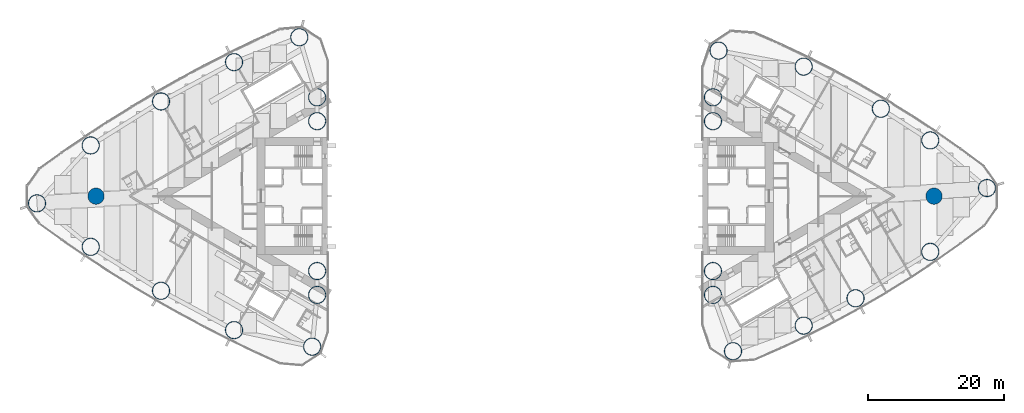
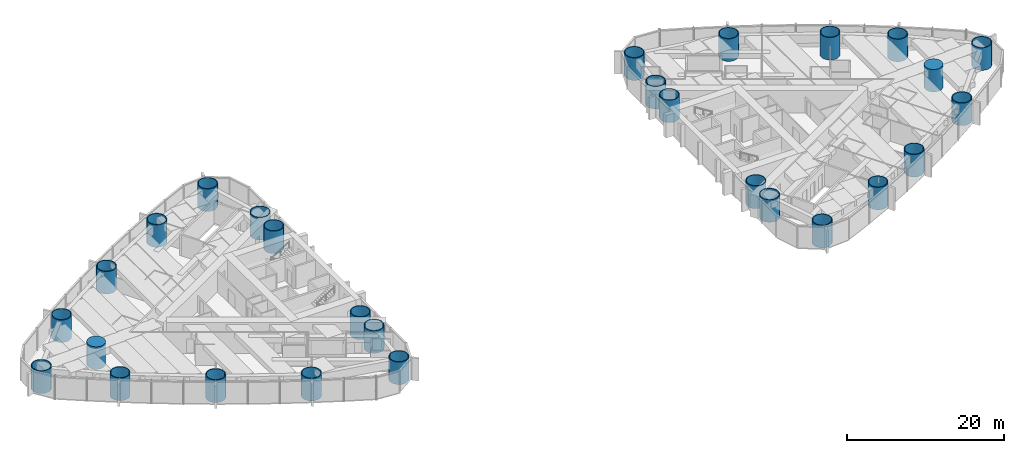
# One storey, part 1 of 19: 28 columns.
"""IFC4 building model written with IfcOpenShell, lengths in metres."""

import ifcopenshell
import ifcopenshell.guid

model = None  # the IFC model being written
_history = None  # IfcOwnerHistory: only IFC2X3 demands one
_inside = {}  # id of a spatial element -> (the spatial element, [elements in it])
_under = {}  # id of a project, library or spatial element -> (it, [spatial elements below it])
_declared = {}  # id of a project -> (the project, [libraries it declares])
_typed = {}  # id of a type object -> (the type object, [elements of that type])
_made_of = {}  # id of a material, layer set ... -> (it, [elements and type objects made of it])


def new_model(schema):
    """Start an empty IFC model of exactly this schema.

    Asked for "IFC4X3", IfcOpenShell would pick the latest addendum, in which some entities
    have other attributes; the version numbers below select the first issue.
    IFC2X3 requires an IfcOwnerHistory on every rooted entity: one is made here for all.
    """
    global model, _history
    if schema == "IFC4X3":
        model = ifcopenshell.file(schema_version=(4, 3, 0, 0))
    else:
        model = ifcopenshell.file(schema=schema)
    _inside.clear()
    _under.clear()
    _declared.clear()
    _typed.clear()
    _made_of.clear()
    _history = None
    if model.schema == "IFC2X3":
        org = make("IfcOrganization", Name="unknown")
        user = make(
            "IfcPersonAndOrganization",
            ThePerson=make("IfcPerson", FamilyName="unknown"),
            TheOrganization=org,
        )
        app = make(
            "IfcApplication",
            ApplicationDeveloper=org,
            Version="unknown",
            ApplicationFullName="unknown",
            ApplicationIdentifier="unknown",
        )
        _history = make(
            "IfcOwnerHistory",
            OwningUser=user,
            OwningApplication=app,
            ChangeAction="ADDED",
            CreationDate=0,
        )
    return model


def make(cls, **values):
    """One entity of the class cls with the attributes given. An attribute that is None is left unset."""
    return model.create_entity(
        cls, **{name: value for name, value in values.items() if value is not None}
    )


def rooted(cls, **values):
    """An entity with a GlobalId (a new one), such as an element, a storey or a relation."""
    return make(cls, GlobalId=ifcopenshell.guid.new(), OwnerHistory=_history, **values)


def si_unit(unit_type, name, prefix=None):
    """IfcSIUnit, for example si_unit("LENGTHUNIT", "METRE", prefix="MILLI")."""
    return make("IfcSIUnit", UnitType=unit_type, Prefix=prefix, Name=name)


def assignment(units):
    """IfcUnitAssignment: the units of a project."""
    return None if units is None else make("IfcUnitAssignment", Units=units)


def point(xyz):
    """IfcCartesianPoint."""
    return None if xyz is None else make("IfcCartesianPoint", Coordinates=xyz)


def direction(xyz):
    """IfcDirection."""
    return None if xyz is None else make("IfcDirection", DirectionRatios=xyz)


def frame(location, z_axis=None, x_axis=None):
    """IfcAxis2Placement3D, a coordinate frame: its origin and axes. An axis left out is left unset."""
    return make(
        "IfcAxis2Placement3D",
        Location=point(location),
        Axis=direction(z_axis),
        RefDirection=direction(x_axis),
    )


def frame_2d(location, x_axis=None):
    """IfcAxis2Placement2D, a coordinate frame in the plane: its origin and x axis."""
    return make(
        "IfcAxis2Placement2D", Location=point(location), RefDirection=direction(x_axis)
    )


def origin():
    """The frame at (0, 0, 0) with its axes left unset."""
    return frame((0.0, 0.0, 0.0))


def origin_2d():
    """The frame at (0, 0) in the plane with its x axis left unset."""
    return frame_2d((0.0, 0.0))


def place(relative_to, where):
    """IfcLocalPlacement: puts the frame where relative to a parent placement (None: the world)."""
    return make(
        "IfcLocalPlacement", PlacementRelTo=relative_to, RelativePlacement=where
    )


def context(
    kind, dimensions, precision=None, world=None, true_north=None, identifier=None
):
    """IfcGeometricRepresentationContext, for example the 3D "Model" context."""
    return make(
        "IfcGeometricRepresentationContext",
        ContextIdentifier=identifier,
        ContextType=kind,
        CoordinateSpaceDimension=dimensions,
        Precision=precision,
        WorldCoordinateSystem=world,
        TrueNorth=true_north,
    )


def subcontext(parent, identifier, kind, view, scale=None):
    """IfcGeometricRepresentationSubContext, for example "Body" below "Model"."""
    return make(
        "IfcGeometricRepresentationSubContext",
        ContextIdentifier=identifier,
        ContextType=kind,
        ParentContext=parent,
        TargetScale=scale,
        TargetView=view,
    )


def project(units=None, contexts=None):
    """IfcProject with its units and contexts."""
    return rooted(
        "IfcProject",
        Name="project",
        RepresentationContexts=contexts,
        UnitsInContext=assignment(units),
    )


def spatial(cls, under=None, at=None, **own):
    """A site, building, storey or space (cls), placed at a placement, below another one or the project."""
    s = rooted(cls, ObjectPlacement=at, **own)
    if under is not None:
        _under.setdefault(under.id(), (under, []))[1].append(s)
    return s


def profile(cls, at=None, kind="AREA", **sizes):
    """A parametric profile (cls). Its sizes go by their IFC names, for example OverallWidth=200.0."""
    return make(cls, ProfileType=kind, Position=at, **sizes)


def circle(**sizes):
    """IfcCircleProfileDef."""
    return profile("IfcCircleProfileDef", **sizes)


def hollow_circle(**sizes):
    """IfcCircleHollowProfileDef."""
    return profile("IfcCircleHollowProfileDef", **sizes)


def extrude(swept, where, along, depth):
    """IfcExtrudedAreaSolid: the profile swept, set in the frame where, extruded along a direction by depth."""
    return make(
        "IfcExtrudedAreaSolid",
        SweptArea=swept,
        Position=where,
        ExtrudedDirection=direction(along),
        Depth=depth,
    )


def shape(context_of_items, identifier, shape_type, items):
    """IfcShapeRepresentation: the items that make up one representation, for example the "Body"."""
    return make(
        "IfcShapeRepresentation",
        ContextOfItems=context_of_items,
        RepresentationIdentifier=identifier,
        RepresentationType=shape_type,
        Items=items,
    )


def material(Name=None, Category=None):
    """IfcMaterial."""
    return make("IfcMaterial", Name=Name, Category=Category)


def material_profile(
    of_material, cross_section, Name=None, Category=None, Priority=None
):
    """IfcMaterialProfile: a cross section and its material."""
    return make(
        "IfcMaterialProfile",
        Name=Name,
        Material=of_material,
        Profile=cross_section,
        Priority=Priority,
        Category=Category,
    )


def profile_set(profiles, Name=None, composite=None):
    """IfcMaterialProfileSet."""
    return make(
        "IfcMaterialProfileSet",
        Name=Name,
        MaterialProfiles=profiles,
        CompositeProfile=composite,
    )


def made_of(thing, what):
    """Note that an element or type object is made of a material, layer set ...; save() writes the relation."""
    if what is not None:
        _made_of.setdefault(what.id(), (what, []))[1].append(thing)
    return thing


def type_object(cls, material=None, **own):
    """A type object (cls), such as IfcWallType, which elements share."""
    return made_of(rooted(cls, **own), material)


def element(
    cls,
    number,
    at=None,
    inside=None,
    cuts=None,
    type_object=None,
    material=None,
    context=None,
    identifier="Body",
    shape_type=None,
    held_by="IfcProductDefinitionShape",
    body=None,
    shapes=None,
    **own,
):
    """One element of the class cls, such as IfcWall. Its Tag is "e" and its number.

    at: its placement. inside: the storey or other place that contains it. cuts: it is an
    opening in that element (IfcRelVoidsElement). A single representation is given by context,
    identifier, shape_type and body (its items); several are given by shapes. held_by: the class
    of the entity that holds the representations. save() writes the other relations.
    """
    e = rooted(cls, Tag="e%d" % number, ObjectPlacement=at, **own)
    if body is not None:
        shapes = [shape(context, identifier, shape_type, body)]
    if shapes is not None:
        e.Representation = make(held_by, Representations=shapes)
    if inside is not None:
        _inside.setdefault(inside.id(), (inside, []))[1].append(e)
    if cuts is not None:
        rooted(
            "IfcRelVoidsElement", RelatingBuildingElement=cuts, RelatedOpeningElement=e
        )
    if type_object is not None:
        _typed.setdefault(type_object.id(), (type_object, []))[1].append(e)
    return made_of(e, material)


def aggregate(whole, parts):
    """IfcRelAggregates: a whole, such as a stair, and the parts it consists of."""
    return rooted("IfcRelAggregates", RelatingObject=whole, RelatedObjects=parts)


def save(model, path):
    """Write the relations noted so far, then the file.

    IfcRelAggregates (storeys below a building ...), IfcRelContainedInSpatialStructure (elements
    in a storey), IfcRelDefinesByType, IfcRelAssociatesMaterial and IfcRelDeclares: one each for
    every whole, place, type object, material and project.
    """
    for whole, parts in _under.values():
        aggregate(whole, parts)
    for where, things in _inside.values():
        rooted(
            "IfcRelContainedInSpatialStructure",
            RelatedElements=things,
            RelatingStructure=where,
        )
    for kind, things in _typed.values():
        rooted("IfcRelDefinesByType", RelatedObjects=things, RelatingType=kind)
    for what, things in _made_of.values():
        rooted("IfcRelAssociatesMaterial", RelatedObjects=things, RelatingMaterial=what)
    for by, libraries in _declared.values():
        rooted("IfcRelDeclares", RelatingContext=by, RelatedDefinitions=libraries)
    model.write(path)


model = new_model("IFC4")

# Units and contexts
model_context = context("Model", 3, precision=1e-05, world=origin(), true_north=direction((0.0, 1.0)))
body_context = subcontext(model_context, "Body", "Model", "MODEL_VIEW")
ifc_project = project(units=[si_unit("LENGTHUNIT", "METRE"), si_unit("AREAUNIT", "SQUARE_METRE"), si_unit("VOLUMEUNIT", "CUBIC_METRE"), si_unit("PLANEANGLEUNIT", "RADIAN"), si_unit("MASSUNIT", "GRAM", prefix="KILO")], contexts=[model_context])

# Site, building, storey
site_placement = place(None, origin())
site = spatial("IfcSite", under=ifc_project, at=site_placement, CompositionType="ELEMENT")
building_placement = place(site_placement, origin())
building = spatial("IfcBuilding", under=site, at=building_placement, Name="Lancet Gate Hotel", CompositionType="ELEMENT")
storey_placement = place(building_placement, frame((0.0, 0.0, 90.60009765625)))
storey = spatial("IfcBuildingStorey", under=building, at=storey_placement, Name="L23", CompositionType="ELEMENT", Elevation=90.60009765625)

# Columns
ifc_material_1 = material(Name="Concrete C80/95", Category="concrete")
ifc_material_profile_1 = material_profile(ifc_material_1, circle(Radius=1.199951171875, at=origin_2d()), Name="RC D2400")
ifc_profile_set_1 = profile_set([ifc_material_profile_1], Name="Concrete C80/95")
column_type_1 = type_object("IfcColumnType", Name="Apex column RC D2400", PredefinedType="COLUMN", material=ifc_profile_set_1)
for number, where, z_axis, x_axis, name in (
    (1, (-61.5, 0.0, 0.0), (0.0, 0.0, 1.0), (1.0, 0.0, 0.0), "T1 column AX L23"),
    (2, (61.5, 0.0, 0.0), (0.0, 0.0, 1.0), (1.0, 0.0, 0.0), "T2 column AX L23"),
):
    element("IfcColumn", number, at=place(storey_placement, frame(where, z_axis=z_axis, x_axis=x_axis)), inside=storey, type_object=column_type_1, Name=name, PredefinedType="COLUMN", context=body_context, shape_type="SweptSolid", body=[
        extrude(circle(Radius=1.199951171875, at=origin_2d()), origin(), (0.0, 0.0, 1.0), 3.5),
    ])
ifc_material_2 = material(Name="Composite filled tube, grade 460 plate, grade 80/95 fill", Category="composite")
ifc_material_profile_2 = material_profile(ifc_material_2, hollow_circle(Radius=1.300048828125, WallThickness=0.10009765625, at=origin_2d()), Name="CHS 2600x100")
ifc_profile_set_2 = profile_set([ifc_material_profile_2], Name="Composite filled tube, grade 460 plate, grade 80/95 fill")
column_type_2 = type_object("IfcColumnType", Name="Apex corner column CFT CHS 2600x100", PredefinedType="COLUMN", material=ifc_profile_set_2)
for number, where, z_axis, x_axis, name in (
    (3, (-70.16796875, -1.06005859375, 0.0), (0.0, 0.0, 1.0), (1.0, 0.0, 0.0), "T1 column CA L23"),
    (4, (69.268798828125, 1.1865234375, 0.0), (0.0, 0.0, 1.0), (1.0, 0.0, 0.0), "T2 column CA L23"),
):
    element("IfcColumn", number, at=place(storey_placement, frame(where, z_axis=z_axis, x_axis=x_axis)), inside=storey, type_object=column_type_2, Name=name, PredefinedType="COLUMN", context=body_context, shape_type="SweptSolid", body=[
        extrude(hollow_circle(Radius=1.300048828125, WallThickness=0.10009765625, at=origin_2d()), origin(), (0.0, 0.0, 1.0), 3.5),
    ])
ifc_material_3 = material(Name="Composite filled tube, grade 460 plate, grade 80/95 fill", Category="composite")
ifc_material_profile_3 = material_profile(ifc_material_3, hollow_circle(Radius=1.300048828125, WallThickness=0.10009765625, at=origin_2d()), Name="CHS 2600x100")
ifc_profile_set_3 = profile_set([ifc_material_profile_3], Name="Composite filled tube, grade 460 plate, grade 80/95 fill")
column_type_3 = type_object("IfcColumnType", Name="Perimeter column CFT CHS 2600x100", PredefinedType="COLUMN", material=ifc_profile_set_3)
for number, where, z_axis, x_axis, name in (
    (5, (-29.781005859375, -22.0947265625, 0.0), (0.0, 0.0, 1.0), (1.0, 0.0, 0.0), "T1 column CN L23"),
    (6, (-31.66455078125, 23.318359375, 0.0), (0.0, 0.0, 1.0), (1.0, 0.0, 0.0), "T1 column CS L23"),
    (7, (-29.050048828125, -11.0, 0.0), (0.0, 0.0, 1.0), (1.0, 0.0, 0.0), "T1 column IN L23"),
    (8, (-29.050048828125, 11.0, 0.0), (0.0, 0.0, 1.0), (1.0, 0.0, 0.0), "T1 column IS L23"),
    (9, (-29.050048828125, 14.5, 0.0), (0.0, 0.0, 1.0), (1.0, 0.0, 0.0), "T1 column IT L23"),
    (10, (-29.050048828125, -14.5, 0.0), (0.0, 0.0, 1.0), (1.0, 0.0, 0.0), "T1 column JT L23"),
    (11, (-62.28662109375, -7.444580078125, 0.0), (0.0, 0.0, 1.0), (1.0, 0.0, 0.0), "T1 column ON1 L23"),
    (12, (-51.963134765625, -13.89501953125, 0.0), (0.0, 0.0, 1.0), (1.0, 0.0, 0.0), "T1 column ON2 L23"),
    (13, (-41.244873046875, -19.665771484375, 0.0), (0.0, 0.0, 1.0), (1.0, 0.0, 0.0), "T1 column ON3 L23"),
    (14, (-41.244873046875, 19.665771484375, 0.0), (0.0, 0.0, 1.0), (1.0, 0.0, 0.0), "T1 column OS1 L23"),
    (15, (-51.963134765625, 13.89501953125, 0.0), (0.0, 0.0, 1.0), (1.0, 0.0, 0.0), "T1 column OS2 L23"),
    (16, (-62.28662109375, 7.444580078125, 0.0), (0.0, 0.0, 1.0), (1.0, 0.0, 0.0), "T1 column OS3 L23"),
    (17, (29.8720703125, 21.35498046875, 0.0), (0.0, 0.0, 1.0), (1.0, 0.0, 0.0), "T2 column CN L23"),
    (18, (31.99609375, -22.76318359375, 0.0), (0.0, 0.0, 1.0), (1.0, 0.0, 0.0), "T2 column CS L23"),
    (19, (29.050048828125, 11.0, 0.0), (0.0, 0.0, 1.0), (1.0, 0.0, 0.0), "T2 column IN L23"),
    (20, (29.050048828125, -11.0, 0.0), (0.0, 0.0, 1.0), (1.0, 0.0, 0.0), "T2 column IS L23"),
    (21, (29.050048828125, -14.5, 0.0), (0.0, 0.0, 1.0), (1.0, 0.0, 0.0), "T2 column IT L23"),
    (22, (29.050048828125, 14.5, 0.0), (0.0, 0.0, 1.0), (1.0, 0.0, 0.0), "T2 column JT L23"),
    (23, (60.940673828125, 8.18115234375, 0.0), (0.0, 0.0, 1.0), (1.0, 0.0, 0.0), "T2 column ON1 L23"),
    (24, (53.697021484375, 12.827392578125, 0.0), (0.0, 0.0, 1.0), (1.0, 0.0, 0.0), "T2 column ON2 L23"),
    (25, (42.3662109375, 19.007080078125, 0.0), (0.0, 0.0, 1.0), (1.0, 0.0, 0.0), "T2 column ON3 L23"),
    (26, (42.3662109375, -19.007080078125, 0.0), (0.0, 0.0, 1.0), (1.0, 0.0, 0.0), "T2 column OS1 L23"),
    (27, (49.97900390625, -14.994384765625, 0.0), (0.0, 0.0, 1.0), (1.0, 0.0, 0.0), "T2 column OS2 L23"),
    (28, (60.940673828125, -8.18115234375, 0.0), (0.0, 0.0, 1.0), (1.0, 0.0, 0.0), "T2 column OS3 L23"),
):
    element("IfcColumn", number, at=place(storey_placement, frame(where, z_axis=z_axis, x_axis=x_axis)), inside=storey, type_object=column_type_3, Name=name, PredefinedType="COLUMN", context=body_context, shape_type="SweptSolid", body=[
        extrude(hollow_circle(Radius=1.300048828125, WallThickness=0.10009765625, at=origin_2d()), origin(), (0.0, 0.0, 1.0), 3.5),
    ])

save(model, "model.ifc")
